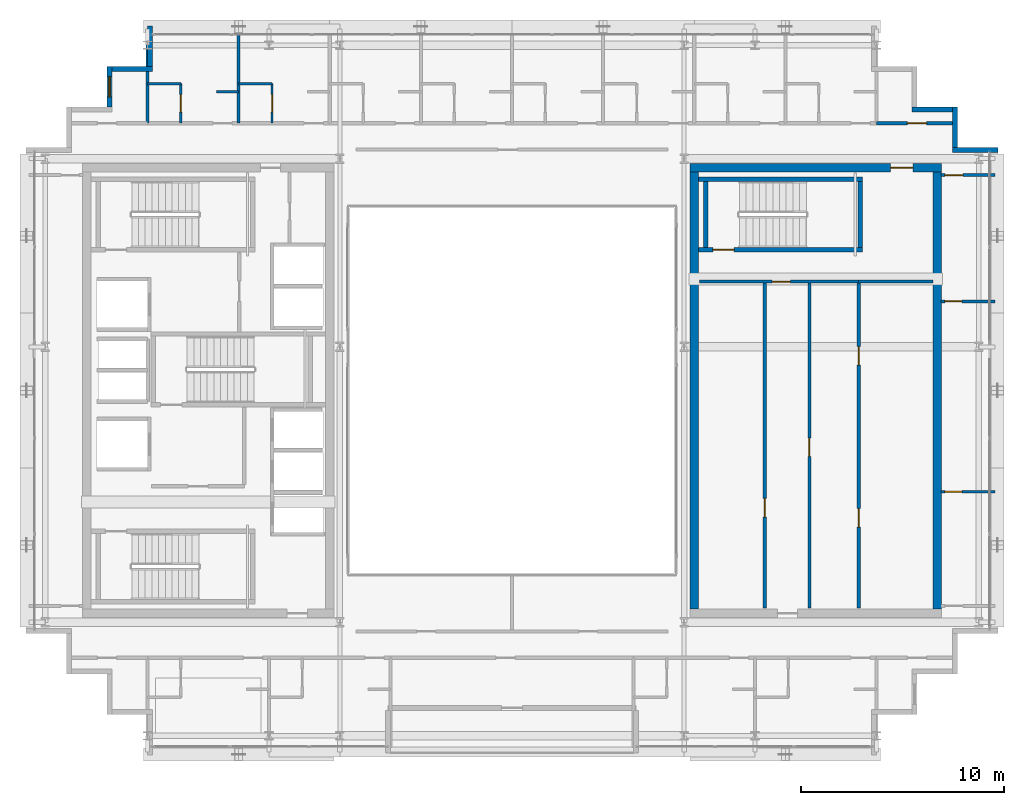
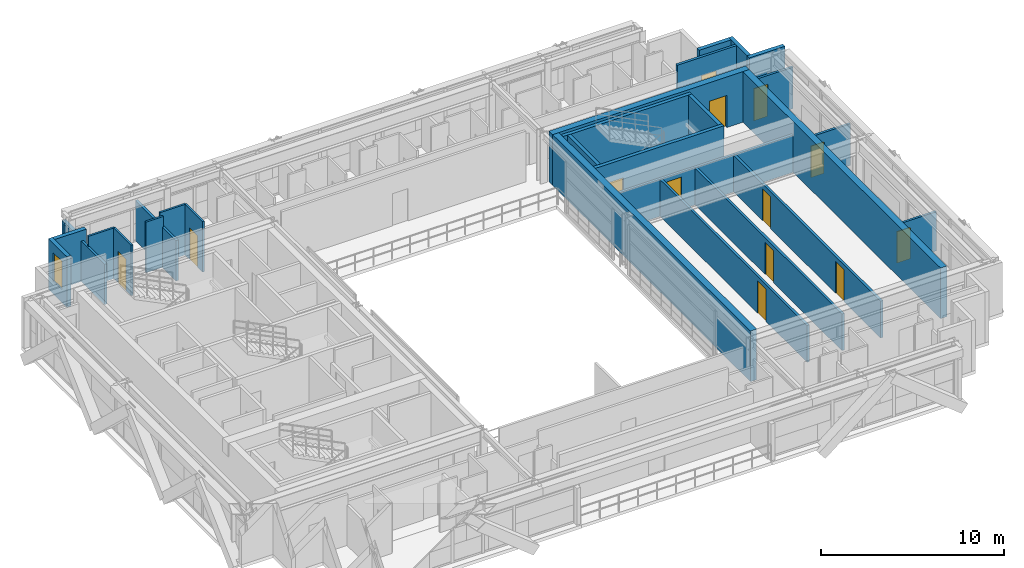
# One storey, part 24 of 29: 29 walls, 13 doors, 1 window, 14 openings.
"""IFC4 building model written with IfcOpenShell, lengths in metres."""

from ifc_helpers import new_model, si_unit, direction, frame, frame_2d, origin, place, context, subcontext, project, spatial, rectangle, extrude, source, transform, mapped, material, layer, layer_set, type_object, element, fill, save


model = new_model("IFC4")

# Units and contexts
model_context = context("Model", 3, precision=1e-05, world=origin(), true_north=direction((0.0, 1.0)))
body_context = subcontext(model_context, "Body", "Model", "MODEL_VIEW")
ifc_project = project(units=[si_unit("LENGTHUNIT", "METRE"), si_unit("AREAUNIT", "SQUARE_METRE"), si_unit("VOLUMEUNIT", "CUBIC_METRE"), si_unit("PLANEANGLEUNIT", "RADIAN"), si_unit("MASSUNIT", "GRAM", prefix="KILO")], contexts=[model_context])

# Site, building, storey
site_placement = place(None, origin())
site = spatial("IfcSite", under=ifc_project, at=site_placement, CompositionType="ELEMENT")
building_placement = place(site_placement, origin())
building = spatial("IfcBuilding", under=site, at=building_placement, Name="Ocotamira Hotel", CompositionType="ELEMENT")
storey_placement = place(building_placement, frame((0.0, 0.0, 236.39990234375)))
storey = spatial("IfcBuildingStorey", under=building, at=storey_placement, Name="L59", CompositionType="ELEMENT", Elevation=236.39990234375)

# Wall, opening, door
ifc_material_1 = material(Name="Concrete C50/60", Category="concrete")
ifc_layer_1 = layer(ifc_material_1, 0.39990234375)
ifc_layer_set_1 = layer_set([ifc_layer_1], Name="Concrete C50/60")
wall_type_1 = type_object("IfcWallType", Name="WL-CORE-400", PredefinedType="SHEAR", material=ifc_layer_set_1)
wall_1_placement = place(storey_placement, frame((40.800048828125, 37.0, 0.0), z_axis=(0.0, 0.0, 1.0), x_axis=(1.0, 0.0, 0.0)))
wall_1 = element("IfcWall", 1, at=wall_1_placement, inside=storey, type_object=wall_type_1, Name="L59 Shear Core Wall ECORE-N", PredefinedType="SHEAR", context=body_context, shape_type="SweptSolid", body=[
    extrude(rectangle(XDim=12.39990234375, YDim=0.39990234375, at=frame_2d((6.199951171875, 0.0))), origin(), (0.0, 0.0, 1.0), 3.380126953125),
])
opening_1_placement = place(wall_1_placement, frame((9.89990234375, 0.0, 0.0)))
opening_1 = element("IfcOpeningElement", 2, at=opening_1_placement, cuts=wall_1, Name="Opening D-FR1", PredefinedType="OPENING", context=body_context, shape_type="SweptSolid", body=[
    extrude(rectangle(XDim=1.10009765625, YDim=2.14990234375, at=frame_2d((0.550048828125, 1.074951171875))), frame((0.0, 0.2099609375, 0.0), z_axis=(0.0, -1.0, 0.0), x_axis=(1.0, 0.0, 0.0)), (0.0, 0.0, 1.0), 0.419921875),
])
ifc_material_2 = material(Name="Fire-rated acoustic timber-veneer door", Category="wood")
door_type_1 = type_object("IfcDoorType", Name="DR-FIRE-1100", OperationType="NOTDEFINED", PredefinedType="DOOR", material=ifc_material_2)
shared_shape_1 = source(origin(), body_context, "Body", "SweptSolid", [
    extrude(rectangle(XDim=1.10009765625, YDim=2.14990234375, at=frame_2d((0.550048828125, 1.074951171875))), frame((0.0, 0.02490234375, 0.0), z_axis=(0.0, -1.0, 0.0), x_axis=(1.0, 0.0, 0.0)), (0.0, 0.0, 1.0), 0.050048828125),
])
door_1_placement = place(opening_1_placement, origin())
door_1 = element("IfcDoor", 3, at=door_1_placement, inside=storey, type_object=door_type_1, Name="L59 Door ID-L59-ELOB-N-D [ID-L59-ELOB-N-D]", OperationType="SINGLE_SWING_LEFT", OverallHeight=2.14990234375, OverallWidth=1.10009765625, PredefinedType="DOOR", context=body_context, shape_type="MappedRepresentation", body=[
    mapped(shared_shape_1, transform((0.0, 0.0, 0.0), scale=1.0)),
])
fill(opening_1, door_1)

# Walls
for number, where, z_axis, x_axis, name in (
    (4, (41.0, 15.199951171875, 0.0), (0.0, 0.0, 1.0), (0.0, 1.0, 0.0), "L59 Shear Core Wall ECORE-W"),
    (5, (53.0, 15.199951171875, 0.0), (0.0, 0.0, 1.0), (0.0, 1.0, 0.0), "L59 Shear Core Wall ECORE-E"),
):
    element("IfcWall", number, at=place(storey_placement, frame(where, z_axis=z_axis, x_axis=x_axis)), inside=storey, type_object=wall_type_1, Name=name, PredefinedType="SHEAR", context=body_context, shape_type="SweptSolid", body=[
        extrude(rectangle(XDim=21.60009765625, YDim=0.39990234375, at=frame_2d((10.800048828125, 0.0))), origin(), (0.0, 0.0, 1.0), 3.380126953125),
    ])
ifc_material_3 = material(Name="Precast concrete C45/55", Category="concrete")
ifc_layer_2 = layer(ifc_material_3, 0.25)
ifc_layer_set_2 = layer_set([ifc_layer_2], Name="Precast concrete C45/55")
wall_type_2 = type_object("IfcWallType", Name="WL-EXT-SER-250", PredefinedType="SOLIDWALL", material=ifc_layer_set_2)
wall_2_placement = place(storey_placement, frame((56.0, 37.875, 0.0), z_axis=(0.0, 0.0, 1.0), x_axis=(-1.0, 0.0, 0.0)))
element("IfcWall", 6, at=wall_2_placement, inside=storey, type_object=wall_type_2, Name="L59 Serrated Corner Wall 07", PredefinedType="SOLIDWALL", context=body_context, shape_type="SweptSolid", body=[
    extrude(rectangle(XDim=2.25, YDim=0.25, at=frame_2d((1.125, 0.0))), origin(), (0.0, 0.0, 1.0), 3.380126953125),
])
for number, where, z_axis, x_axis, name in (
    (7, (53.875, 38.0, 0.0), (0.0, 0.0, 1.0), (0.0, 1.0, 0.0), "L59 Serrated Corner Wall 08"),
    (8, (53.75, 39.875, 0.0), (0.0, 0.0, 1.0), (-1.0, 0.0, 0.0), "L59 Serrated Corner Wall 09"),
):
    element("IfcWall", number, at=place(storey_placement, frame(where, z_axis=z_axis, x_axis=x_axis)), inside=storey, type_object=wall_type_2, Name=name, PredefinedType="SOLIDWALL", context=body_context, shape_type="SweptSolid", body=[
        extrude(rectangle(XDim=2.0, YDim=0.25, at=frame_2d((1.0, 0.0))), origin(), (0.0, 0.0, 1.0), 3.380126953125),
    ])
wall_3_placement = place(storey_placement, frame((14.125, 44.0, 0.0), z_axis=(0.0, 0.0, 1.0), x_axis=(0.0, -1.0, 0.0)))
element("IfcWall", 9, at=wall_3_placement, inside=storey, type_object=wall_type_2, Name="L59 Serrated Corner Wall 13", PredefinedType="SOLIDWALL", context=body_context, shape_type="SweptSolid", body=[
    extrude(rectangle(XDim=2.0, YDim=0.25, at=frame_2d((1.0, 0.0))), origin(), (0.0, 0.0, 1.0), 2.68701171875),
])
wall_4_placement = place(storey_placement, frame((14.25, 41.875, 0.0), z_axis=(0.0, 0.0, 1.0), x_axis=(-1.0, 0.0, 0.0)))
element("IfcWall", 10, at=wall_4_placement, inside=storey, type_object=wall_type_2, Name="L59 Serrated Corner Wall 14", PredefinedType="SOLIDWALL", context=body_context, shape_type="SweptSolid", body=[
    extrude(rectangle(XDim=2.0, YDim=0.25, at=frame_2d((1.0, 0.0))), origin(), (0.0, 0.0, 1.0), 3.380126953125),
])

# Wall, opening, window
wall_5_placement = place(storey_placement, frame((12.125, 42.0, 0.0), z_axis=(0.0, 0.0, 1.0), x_axis=(0.0, -1.0, 0.0)))
wall_5 = element("IfcWall", 11, at=wall_5_placement, inside=storey, type_object=wall_type_2, Name="L59 Serrated Corner Wall 15", PredefinedType="SOLIDWALL", context=body_context, shape_type="SweptSolid", body=[
    extrude(rectangle(XDim=2.0, YDim=0.25, at=frame_2d((1.0, 0.0))), origin(), (0.0, 0.0, 1.0), 3.380126953125),
])
opening_2_placement = place(wall_5_placement, frame((0.5, 0.0, 0.85009765625)))
opening_2 = element("IfcOpeningElement", 12, at=opening_2_placement, cuts=wall_5, Name="Opening WN-2", PredefinedType="OPENING", context=body_context, shape_type="SweptSolid", body=[
    extrude(rectangle(XDim=1.0, YDim=1.89990234375, at=frame_2d((0.5, 0.949951171875))), frame((0.0, 0.135009765625, 0.0), z_axis=(0.0, -1.0, 0.0), x_axis=(1.0, 0.0, 0.0)), (0.0, 0.0, 1.0), 0.27001953125),
])
ifc_material_4 = material(Name="Double-silver low-E solar glass", Category="glass")
window_type = type_object("IfcWindowType", Name="WIN-SER-1100", PartitioningType="SINGLE_PANEL", PredefinedType="WINDOW", material=ifc_material_4)
shared_shape_2 = source(origin(), body_context, "Body", "SweptSolid", [
    extrude(rectangle(XDim=1.0, YDim=1.89990234375, at=frame_2d((0.5, 0.949951171875))), frame((0.0, 0.030029296875, 0.0), z_axis=(0.0, -1.0, 0.0), x_axis=(1.0, 0.0, 0.0)), (0.0, 0.0, 1.0), 0.06005859375),
])
window_placement = place(opening_2_placement, origin())
window = element("IfcWindow", 13, at=window_placement, inside=storey, type_object=window_type, Name="L59 Serrated Corner Window 15", OverallHeight=1.89990234375, OverallWidth=1.0, PartitioningType="SINGLE_PANEL", PredefinedType="WINDOW", context=body_context, shape_type="MappedRepresentation", body=[
    mapped(shared_shape_2, transform((0.0, 0.0, 0.0), scale=1.0)),
])
fill(opening_2, window)

# Wall
ifc_material_5 = material(Name="Acoustic double-layer fire gypsum board partition", Category="gypsum")
ifc_layer_3 = layer(ifc_material_5, 0.159912109375)
ifc_layer_set_3 = layer_set([ifc_layer_3], Name="Acoustic double-layer fire gypsum board partition")
wall_type_3 = type_object("IfcWallType", Name="WL-FIRE-160", PredefinedType="PARTITIONING", material=ifc_layer_set_3)
wall_6_placement = place(storey_placement, frame((49.1201171875, 31.3798828125, 0.0), z_axis=(0.0, 0.0, 1.0), x_axis=(1.0, 0.0, 0.0)))
element("IfcWall", 14, at=wall_6_placement, inside=storey, type_object=wall_type_3, Name="L59 Interior Wall PW-L59-EC-FLOW-N", PredefinedType="PARTITIONING", context=body_context, shape_type="SweptSolid", body=[
    extrude(rectangle(XDim=3.679931640625, YDim=0.159912109375, at=frame_2d((1.83984375, 0.0))), origin(), (0.0, 0.0, 1.0), 2.47998046875),
])

# Wall, openings, doors
wall_7_placement = place(storey_placement, frame((49.1201171875, 15.25, 0.0), z_axis=(0.0, 0.0, 1.0), x_axis=(0.0, 1.0, 0.0)))
wall_7 = element("IfcWall", 15, at=wall_7_placement, inside=storey, type_object=wall_type_3, Name="L59 Interior Wall PW-L59-EC-FLOW-W", PredefinedType="PARTITIONING", context=body_context, shape_type="SweptSolid", body=[
    extrude(rectangle(XDim=16.1298828125, YDim=0.159912109375, at=frame_2d((8.06494140625, 0.0))), origin(), (0.0, 0.0, 1.0), 2.453125),
])
opening_3_placement = place(wall_7_placement, frame((4.0, 0.0, 0.0)))
opening_3 = element("IfcOpeningElement", 16, at=opening_3_placement, cuts=wall_7, Name="Opening D-SV3", PredefinedType="OPENING", context=body_context, shape_type="SweptSolid", body=[
    extrude(rectangle(XDim=0.919921875, YDim=2.14990234375, at=frame_2d((0.4599609375, 1.074951171875))), frame((0.0, 0.08984375, 0.0), z_axis=(0.0, -1.0, 0.0), x_axis=(1.0, 0.0, 0.0)), (0.0, 0.0, 1.0), 0.179931640625),
])
opening_4_placement = place(wall_7_placement, frame((12.0, 0.0, 0.0)))
opening_4 = element("IfcOpeningElement", 17, at=opening_4_placement, cuts=wall_7, Name="Opening D-SV3", PredefinedType="OPENING", context=body_context, shape_type="SweptSolid", body=[
    extrude(rectangle(XDim=0.919921875, YDim=2.14990234375, at=frame_2d((0.4599609375, 1.074951171875))), frame((0.0, 0.08984375, 0.0), z_axis=(0.0, -1.0, 0.0), x_axis=(1.0, 0.0, 0.0)), (0.0, 0.0, 1.0), 0.179931640625),
])
ifc_material_6 = material(Name="Fire-rated walnut hospitality door", Category="wood")
door_type_2 = type_object("IfcDoorType", Name="DR-SERV-920", OperationType="NOTDEFINED", PredefinedType="DOOR", material=ifc_material_6)
shared_shape_3 = source(origin(), body_context, "Body", "SweptSolid", [
    extrude(rectangle(XDim=0.919921875, YDim=2.14990234375, at=frame_2d((0.4599609375, 1.074951171875))), frame((0.0, 0.02490234375, 0.0), z_axis=(0.0, -1.0, 0.0), x_axis=(1.0, 0.0, 0.0)), (0.0, 0.0, 1.0), 0.050048828125),
])
door_2_placement = place(opening_3_placement, origin())
door_2 = element("IfcDoor", 18, at=door_2_placement, inside=storey, type_object=door_type_2, Name="L59 Door ID-L59-EC-FLOW-D1 [ID-L59-EC-FLOW-D1]", OperationType="SINGLE_SWING_LEFT", OverallHeight=2.14990234375, OverallWidth=0.919921875, PredefinedType="DOOR", context=body_context, shape_type="MappedRepresentation", body=[
    mapped(shared_shape_3, transform((0.0, 0.0, 0.0), scale=1.0)),
])
fill(opening_3, door_2)
door_3_placement = place(opening_4_placement, origin())
door_3 = element("IfcDoor", 19, at=door_3_placement, inside=storey, type_object=door_type_2, Name="L59 Door ID-L59-EC-FLOW-D2 [ID-L59-EC-FLOW-D2]", OperationType="SINGLE_SWING_RIGHT", OverallHeight=2.14990234375, OverallWidth=0.919921875, PredefinedType="DOOR", context=body_context, shape_type="MappedRepresentation", body=[
    mapped(shared_shape_3, transform((0.0, 0.0, 0.0), scale=1.0)),
])
fill(opening_4, door_3)

# Wall, opening, door
wall_8_placement = place(storey_placement, frame((50.0, 39.199951171875, 0.0), z_axis=(0.0, 0.0, 1.0), x_axis=(1.0, 0.0, 0.0)))
wall_8 = element("IfcWall", 20, at=wall_8_placement, inside=storey, type_object=wall_type_3, Name="L59 Interior Wall PW-L59-Z4CNE-CW", PredefinedType="PARTITIONING", context=body_context, shape_type="SweptSolid", body=[
    extrude(rectangle(XDim=4.0, YDim=0.159912109375, at=frame_2d((2.0, 0.0))), origin(), (0.0, 0.0, 1.0), 3.380126953125),
])
opening_5_placement = place(wall_8_placement, frame((1.52001953125, 0.0, 0.0)))
opening_5 = element("IfcOpeningElement", 21, at=opening_5_placement, cuts=wall_8, Name="Opening D-SV4", PredefinedType="OPENING", context=body_context, shape_type="SweptSolid", body=[
    extrude(rectangle(XDim=0.9599609375, YDim=2.14990234375, at=frame_2d((0.47998046875, 1.074951171875))), frame((0.0, 0.08984375, 0.0), z_axis=(0.0, -1.0, 0.0), x_axis=(1.0, 0.0, 0.0)), (0.0, 0.0, 1.0), 0.179931640625),
])
ifc_material_7 = material(Name="Fire-rated accessible walnut salon door", Category="wood")
door_type_3 = type_object("IfcDoorType", Name="DR-SERV-960", OperationType="NOTDEFINED", PredefinedType="DOOR", material=ifc_material_7)
shared_shape_4 = source(origin(), body_context, "Body", "SweptSolid", [
    extrude(rectangle(XDim=0.9599609375, YDim=2.14990234375, at=frame_2d((0.47998046875, 1.074951171875))), frame((0.0, 0.02490234375, 0.0), z_axis=(0.0, -1.0, 0.0), x_axis=(1.0, 0.0, 0.0)), (0.0, 0.0, 1.0), 0.050048828125),
])
door_4_placement = place(opening_5_placement, origin())
door_4 = element("IfcDoor", 22, at=door_4_placement, inside=storey, type_object=door_type_3, Name="L59 Door ID-L59-Z4CNE-CD [ID-L59-Z4CNE-CD]", OperationType="SINGLE_SWING_LEFT", OverallHeight=2.14990234375, OverallWidth=0.9599609375, PredefinedType="DOOR", context=body_context, shape_type="MappedRepresentation", body=[
    mapped(shared_shape_4, transform((0.0, 0.0, 0.0), scale=1.0)),
])
fill(opening_5, door_4)

ifc_material_8 = material(Name="Moisture-resistant en-suite tile and gypsum partition", Category="gypsum")
ifc_layer_4 = layer(ifc_material_8, 0.1201171875)
ifc_layer_set_4 = layer_set([ifc_layer_4], Name="Moisture-resistant en-suite tile and gypsum partition")
wall_type_4 = type_object("IfcWallType", Name="WL-PART-120", PredefinedType="PARTITIONING", material=ifc_layer_set_4)
wall_9_placement = place(storey_placement, frame((15.64990234375, 39.199951171875, 0.0), z_axis=(0.0, 0.0, 1.0), x_axis=(0.0, 1.0, 0.0)))
wall_9 = element("IfcWall", 23, at=wall_9_placement, inside=storey, type_object=wall_type_4, Name="L59 Interior Wall PW-L59-Z4BN-BAE1", PredefinedType="PARTITIONING", context=body_context, shape_type="SweptSolid", body=[
    extrude(rectangle(XDim=1.949951171875, YDim=0.1201171875, at=frame_2d((0.97509765625, 0.0))), origin(), (0.0, 0.0, 1.0), 3.380126953125),
])
opening_6_placement = place(wall_9_placement, frame((0.544921875, 0.0, 0.0)))
opening_6 = element("IfcOpeningElement", 24, at=opening_6_placement, cuts=wall_9, Name="Opening D-BA1", PredefinedType="OPENING", context=body_context, shape_type="SweptSolid", body=[
    extrude(rectangle(XDim=0.860107421875, YDim=2.10009765625, at=frame_2d((0.43017578125, 1.050048828125))), frame((0.0, 0.070068359375, 0.0), z_axis=(0.0, -1.0, 0.0), x_axis=(1.0, 0.0, 0.0)), (0.0, 0.0, 1.0), 0.14013671875),
])
ifc_material_9 = material(Name="Moisture-sealed en-suite timber door", Category="wood")
door_type_4 = type_object("IfcDoorType", Name="DR-BATH-860", OperationType="NOTDEFINED", PredefinedType="DOOR", material=ifc_material_9)
shared_shape_5 = source(origin(), body_context, "Body", "SweptSolid", [
    extrude(rectangle(XDim=0.860107421875, YDim=2.10009765625, at=frame_2d((0.43017578125, 1.050048828125))), frame((0.0, 0.02490234375, 0.0), z_axis=(0.0, -1.0, 0.0), x_axis=(1.0, 0.0, 0.0)), (0.0, 0.0, 1.0), 0.050048828125),
])
door_5_placement = place(opening_6_placement, origin())
door_5 = element("IfcDoor", 25, at=door_5_placement, inside=storey, type_object=door_type_4, Name="L59 Door ID-L59-Z4BN-BAD1 [ID-L59-Z4BN-BAD1]", OperationType="SINGLE_SWING_RIGHT", OverallHeight=2.10009765625, OverallWidth=0.860107421875, PredefinedType="DOOR", context=body_context, shape_type="MappedRepresentation", body=[
    mapped(shared_shape_5, transform((0.0, 0.0, 0.0), scale=1.0)),
])
fill(opening_6, door_5)

# Walls
wall_10_placement = place(storey_placement, frame((14.0, 41.14990234375, 0.0), z_axis=(0.0, 0.0, 1.0), x_axis=(1.0, 0.0, 0.0)))
element("IfcWall", 26, at=wall_10_placement, inside=storey, type_object=wall_type_4, Name="L59 Interior Wall PW-L59-Z4BN-BAN1", PredefinedType="PARTITIONING", context=body_context, shape_type="SweptSolid", body=[
    extrude(rectangle(XDim=1.64990234375, YDim=0.1201171875, at=frame_2d((0.824951171875, 0.0))), origin(), (0.0, 0.0, 1.0), 3.380126953125),
])
wall_11_placement = place(storey_placement, frame((17.39990234375, 40.75, 0.0), z_axis=(0.0, 0.0, 1.0), x_axis=(1.0, 0.0, 0.0)))
element("IfcWall", 27, at=wall_11_placement, inside=storey, type_object=wall_type_4, Name="L59 Interior Wall PW-L59-Z4BN-DRN1", PredefinedType="PARTITIONING", context=body_context, shape_type="SweptSolid", body=[
    extrude(rectangle(XDim=1.10009765625, YDim=0.1201171875, at=frame_2d((0.550048828125, 0.0))), origin(), (0.0, 0.0, 1.0), 3.380126953125),
])

# Wall, opening, door
wall_12_placement = place(storey_placement, frame((20.14990234375, 39.199951171875, 0.0), z_axis=(0.0, 0.0, 1.0), x_axis=(0.0, 1.0, 0.0)))
wall_12 = element("IfcWall", 28, at=wall_12_placement, inside=storey, type_object=wall_type_4, Name="L59 Interior Wall PW-L59-Z4BN-BAE2", PredefinedType="PARTITIONING", context=body_context, shape_type="SweptSolid", body=[
    extrude(rectangle(XDim=1.949951171875, YDim=0.1201171875, at=frame_2d((0.97509765625, 0.0))), origin(), (0.0, 0.0, 1.0), 3.380126953125),
])
opening_7_placement = place(wall_12_placement, frame((0.544921875, 0.0, 0.0)))
opening_7 = element("IfcOpeningElement", 29, at=opening_7_placement, cuts=wall_12, Name="Opening D-BA1", PredefinedType="OPENING", context=body_context, shape_type="SweptSolid", body=[
    extrude(rectangle(XDim=0.860107421875, YDim=2.10009765625, at=frame_2d((0.43017578125, 1.050048828125))), frame((0.0, 0.070068359375, 0.0), z_axis=(0.0, -1.0, 0.0), x_axis=(1.0, 0.0, 0.0)), (0.0, 0.0, 1.0), 0.14013671875),
])
door_6_placement = place(opening_7_placement, origin())
door_6 = element("IfcDoor", 30, at=door_6_placement, inside=storey, type_object=door_type_4, Name="L59 Door ID-L59-Z4BN-BAD2 [ID-L59-Z4BN-BAD2]", OperationType="SINGLE_SWING_LEFT", OverallHeight=2.10009765625, OverallWidth=0.860107421875, PredefinedType="DOOR", context=body_context, shape_type="MappedRepresentation", body=[
    mapped(shared_shape_5, transform((0.0, 0.0, 0.0), scale=1.0)),
])
fill(opening_7, door_6)

# Wall
wall_13_placement = place(storey_placement, frame((18.5, 41.14990234375, 0.0), z_axis=(0.0, 0.0, 1.0), x_axis=(1.0, 0.0, 0.0)))
element("IfcWall", 31, at=wall_13_placement, inside=storey, type_object=wall_type_4, Name="L59 Interior Wall PW-L59-Z4BN-BAN2", PredefinedType="PARTITIONING", context=body_context, shape_type="SweptSolid", body=[
    extrude(rectangle(XDim=1.64990234375, YDim=0.1201171875, at=frame_2d((0.824951171875, 0.0))), origin(), (0.0, 0.0, 1.0), 3.380126953125),
])

# Wall, opening, door
ifc_material_10 = material(Name="Acoustic hospitality gypsum board partition", Category="gypsum")
ifc_layer_5 = layer(ifc_material_10, 0.14208984375)
ifc_layer_set_5 = layer_set([ifc_layer_5], Name="Acoustic hospitality gypsum board partition")
wall_type_5 = type_object("IfcWallType", Name="WL-PART-142", PredefinedType="PARTITIONING", material=ifc_layer_set_5)
wall_14_placement = place(storey_placement, frame((53.179931640625, 21.0, 0.0), z_axis=(0.0, 0.0, 1.0), x_axis=(1.0, 0.0, 0.0)))
wall_14 = element("IfcWall", 32, at=wall_14_placement, inside=storey, type_object=wall_type_5, Name="L59 Interior Wall PW-L59-Z4BE-DV1", PredefinedType="PARTITIONING", context=body_context, shape_type="SweptSolid", body=[
    extrude(rectangle(XDim=2.66015625, YDim=0.14208984375, at=frame_2d((1.330078125, 0.0))), origin(), (0.0, 0.0, 1.0), 2.60107421875),
])
opening_8_placement = place(wall_14_placement, frame((0.199951171875, 0.0, 0.0)))
opening_8 = element("IfcOpeningElement", 33, at=opening_8_placement, cuts=wall_14, Name="Opening D-SV1", PredefinedType="OPENING", context=body_context, shape_type="SweptSolid", body=[
    extrude(rectangle(XDim=0.840087890625, YDim=2.10009765625, at=frame_2d((0.419921875, 1.050048828125))), frame((0.0, 0.0810546875, 0.0), z_axis=(0.0, -1.0, 0.0), x_axis=(1.0, 0.0, 0.0)), (0.0, 0.0, 1.0), 0.162109375),
])
ifc_material_11 = material(Name="Fire-rated painted steel service door", Category="steel")
door_type_5 = type_object("IfcDoorType", Name="DR-SERV-840", OperationType="NOTDEFINED", PredefinedType="DOOR", material=ifc_material_11)
shared_shape_6 = source(origin(), body_context, "Body", "SweptSolid", [
    extrude(rectangle(XDim=0.840087890625, YDim=2.10009765625, at=frame_2d((0.419921875, 1.050048828125))), frame((0.0, 0.02490234375, 0.0), z_axis=(0.0, -1.0, 0.0), x_axis=(1.0, 0.0, 0.0)), (0.0, 0.0, 1.0), 0.050048828125),
])
door_7_placement = place(opening_8_placement, origin())
door_7 = element("IfcDoor", 34, at=door_7_placement, inside=storey, type_object=door_type_5, Name="L59 Door ID-L59-Z4BE-DV1D [ID-L59-Z4BE-DV1D]", OperationType="SINGLE_SWING_LEFT", OverallHeight=2.10009765625, OverallWidth=0.840087890625, PredefinedType="DOOR", context=body_context, shape_type="MappedRepresentation", body=[
    mapped(shared_shape_6, transform((0.0, 0.0, 0.0), scale=1.0)),
])
fill(opening_8, door_7)

wall_15_placement = place(storey_placement, frame((53.179931640625, 30.39990234375, 0.0), z_axis=(0.0, 0.0, 1.0), x_axis=(1.0, 0.0, 0.0)))
wall_15 = element("IfcWall", 35, at=wall_15_placement, inside=storey, type_object=wall_type_5, Name="L59 Interior Wall PW-L59-Z4BE-DV2", PredefinedType="PARTITIONING", context=body_context, shape_type="SweptSolid", body=[
    extrude(rectangle(XDim=2.66015625, YDim=0.14208984375, at=frame_2d((1.330078125, 0.0))), origin(), (0.0, 0.0, 1.0), 2.76318359375),
])
opening_9_placement = place(wall_15_placement, frame((0.199951171875, 0.0, 0.0)))
opening_9 = element("IfcOpeningElement", 36, at=opening_9_placement, cuts=wall_15, Name="Opening D-SV1", PredefinedType="OPENING", context=body_context, shape_type="SweptSolid", body=[
    extrude(rectangle(XDim=0.840087890625, YDim=2.10009765625, at=frame_2d((0.419921875, 1.050048828125))), frame((0.0, 0.0810546875, 0.0), z_axis=(0.0, -1.0, 0.0), x_axis=(1.0, 0.0, 0.0)), (0.0, 0.0, 1.0), 0.162109375),
])
door_8_placement = place(opening_9_placement, origin())
door_8 = element("IfcDoor", 37, at=door_8_placement, inside=storey, type_object=door_type_5, Name="L59 Door ID-L59-Z4BE-DV2D [ID-L59-Z4BE-DV2D]", OperationType="SINGLE_SWING_RIGHT", OverallHeight=2.10009765625, OverallWidth=0.840087890625, PredefinedType="DOOR", context=body_context, shape_type="MappedRepresentation", body=[
    mapped(shared_shape_6, transform((0.0, 0.0, 0.0), scale=1.0)),
])
fill(opening_9, door_8)

ifc_layer_6 = layer(ifc_material_10, 0.14990234375)
ifc_layer_set_6 = layer_set([ifc_layer_6], Name="Acoustic hospitality gypsum board partition")
wall_type_6 = type_object("IfcWallType", Name="WL-PART-150", PredefinedType="PARTITIONING", material=ifc_layer_set_6)
wall_16_placement = place(storey_placement, frame((41.25, 31.3798828125, 0.0), z_axis=(0.0, 0.0, 1.0), x_axis=(1.0, 0.0, 0.0)))
wall_16 = element("IfcWall", 38, at=wall_16_placement, inside=storey, type_object=wall_type_6, Name="L59 Interior Wall PW-L59-EC-HMT-N", PredefinedType="PARTITIONING", context=body_context, shape_type="SweptSolid", body=[
    extrude(rectangle(XDim=7.8701171875, YDim=0.14990234375, at=frame_2d((3.93505859375, 0.0))), origin(), (0.0, 0.0, 1.0), 2.47998046875),
])
opening_10_placement = place(wall_16_placement, frame((3.60009765625, 0.0, 0.0)))
opening_10 = element("IfcOpeningElement", 39, at=opening_10_placement, cuts=wall_16, Name="Opening D-IN3", PredefinedType="OPENING", context=body_context, shape_type="SweptSolid", body=[
    extrude(rectangle(XDim=0.89990234375, YDim=2.14990234375, at=frame_2d((0.449951171875, 1.074951171875))), frame((0.0, 0.0849609375, 0.0), z_axis=(0.0, -1.0, 0.0), x_axis=(1.0, 0.0, 0.0)), (0.0, 0.0, 1.0), 0.169921875),
])
ifc_material_12 = material(Name="Painted service room door", Category="steel")
door_type_6 = type_object("IfcDoorType", Name="DR-INT-900", OperationType="NOTDEFINED", PredefinedType="DOOR", material=ifc_material_12)
shared_shape_7 = source(origin(), body_context, "Body", "SweptSolid", [
    extrude(rectangle(XDim=0.89990234375, YDim=2.14990234375, at=frame_2d((0.449951171875, 1.074951171875))), frame((0.0, 0.02490234375, 0.0), z_axis=(0.0, -1.0, 0.0), x_axis=(1.0, 0.0, 0.0)), (0.0, 0.0, 1.0), 0.050048828125),
])
door_9_placement = place(opening_10_placement, origin())
door_9 = element("IfcDoor", 40, at=door_9_placement, inside=storey, type_object=door_type_6, Name="L59 Door ID-L59-EC-MGALD [ID-L59-EC-MGALD]", OperationType="SINGLE_SWING_LEFT", OverallHeight=2.14990234375, OverallWidth=0.89990234375, PredefinedType="DOOR", context=body_context, shape_type="MappedRepresentation", body=[
    mapped(shared_shape_7, transform((0.0, 0.0, 0.0), scale=1.0)),
])
fill(opening_10, door_9)

wall_17_placement = place(storey_placement, frame((46.679931640625, 15.25, 0.0), z_axis=(0.0, 0.0, 1.0), x_axis=(0.0, 1.0, 0.0)))
wall_17 = element("IfcWall", 41, at=wall_17_placement, inside=storey, type_object=wall_type_6, Name="L59 Interior Wall PW-L59-EC-HMT-W", PredefinedType="PARTITIONING", context=body_context, shape_type="SweptSolid", body=[
    extrude(rectangle(XDim=16.1298828125, YDim=0.14990234375, at=frame_2d((8.06494140625, 0.0))), origin(), (0.0, 0.0, 1.0), 2.453125),
])
opening_11_placement = place(wall_17_placement, frame((7.5, 0.0, 0.0)))
opening_11 = element("IfcOpeningElement", 42, at=opening_11_placement, cuts=wall_17, Name="Opening D-IN3", PredefinedType="OPENING", context=body_context, shape_type="SweptSolid", body=[
    extrude(rectangle(XDim=0.89990234375, YDim=2.14990234375, at=frame_2d((0.449951171875, 1.074951171875))), frame((0.0, 0.0849609375, 0.0), z_axis=(0.0, -1.0, 0.0), x_axis=(1.0, 0.0, 0.0)), (0.0, 0.0, 1.0), 0.169921875),
])
door_10_placement = place(opening_11_placement, origin())
door_10 = element("IfcDoor", 43, at=door_10_placement, inside=storey, type_object=door_type_6, Name="L59 Door ID-L59-EC-HMTD [ID-L59-EC-HMTD]", OperationType="SINGLE_SWING_RIGHT", OverallHeight=2.14990234375, OverallWidth=0.89990234375, PredefinedType="DOOR", context=body_context, shape_type="MappedRepresentation", body=[
    mapped(shared_shape_7, transform((0.0, 0.0, 0.0), scale=1.0)),
])
fill(opening_11, door_10)

wall_18_placement = place(storey_placement, frame((44.47998046875, 15.25, 0.0), z_axis=(0.0, 0.0, 1.0), x_axis=(0.0, 1.0, 0.0)))
wall_18 = element("IfcWall", 44, at=wall_18_placement, inside=storey, type_object=wall_type_6, Name="L59 Interior Wall PW-L59-EC-FMID-E", PredefinedType="PARTITIONING", context=body_context, shape_type="SweptSolid", body=[
    extrude(rectangle(XDim=16.1298828125, YDim=0.14990234375, at=frame_2d((8.06494140625, 0.0))), origin(), (0.0, 0.0, 1.0), 2.453125),
])
opening_12_placement = place(wall_18_placement, frame((4.5, 0.0, 0.0)))
opening_12 = element("IfcOpeningElement", 45, at=opening_12_placement, cuts=wall_18, Name="Opening D-SV3", PredefinedType="OPENING", context=body_context, shape_type="SweptSolid", body=[
    extrude(rectangle(XDim=0.919921875, YDim=2.14990234375, at=frame_2d((0.4599609375, 1.074951171875))), frame((0.0, 0.0849609375, 0.0), z_axis=(0.0, -1.0, 0.0), x_axis=(1.0, 0.0, 0.0)), (0.0, 0.0, 1.0), 0.169921875),
])
door_11_placement = place(opening_12_placement, origin())
door_11 = element("IfcDoor", 46, at=door_11_placement, inside=storey, type_object=door_type_2, Name="L59 Door ID-L59-EC-FMID-D1 [ID-L59-EC-FMID-D1]", OperationType="SINGLE_SWING_RIGHT", OverallHeight=2.14990234375, OverallWidth=0.919921875, PredefinedType="DOOR", context=body_context, shape_type="MappedRepresentation", body=[
    mapped(shared_shape_3, transform((0.0, 0.0, 0.0), scale=1.0)),
])
fill(opening_12, door_11)

wall_19_placement = place(storey_placement, frame((53.179931640625, 36.639892578125, 0.0), z_axis=(0.0, 0.0, 1.0), x_axis=(1.0, 0.0, 0.0)))
wall_19 = element("IfcWall", 47, at=wall_19_placement, inside=storey, type_object=wall_type_6, Name="L59 Interior Wall PW-L59-Z4BE-WN", PredefinedType="PARTITIONING", context=body_context, shape_type="SweptSolid", body=[
    extrude(rectangle(XDim=2.66015625, YDim=0.14990234375, at=frame_2d((1.330078125, 0.0))), origin(), (0.0, 0.0, 1.0), 2.76318359375),
])
opening_13_placement = place(wall_19_placement, frame((0.199951171875, 0.0, 0.0)))
opening_13 = element("IfcOpeningElement", 48, at=opening_13_placement, cuts=wall_19, Name="Opening D-SV2", PredefinedType="OPENING", context=body_context, shape_type="SweptSolid", body=[
    extrude(rectangle(XDim=0.8798828125, YDim=2.14990234375, at=frame_2d((0.43994140625, 1.074951171875))), frame((0.0, 0.0849609375, 0.0), z_axis=(0.0, -1.0, 0.0), x_axis=(1.0, 0.0, 0.0)), (0.0, 0.0, 1.0), 0.169921875),
])
door_type_7 = type_object("IfcDoorType", Name="DR-SERV-880", OperationType="NOTDEFINED", PredefinedType="DOOR", material=ifc_material_11)
shared_shape_8 = source(origin(), body_context, "Body", "SweptSolid", [
    extrude(rectangle(XDim=0.8798828125, YDim=2.14990234375, at=frame_2d((0.43994140625, 1.074951171875))), frame((0.0, 0.02490234375, 0.0), z_axis=(0.0, -1.0, 0.0), x_axis=(1.0, 0.0, 0.0)), (0.0, 0.0, 1.0), 0.050048828125),
])
door_12_placement = place(opening_13_placement, origin())
door_12 = element("IfcDoor", 49, at=door_12_placement, inside=storey, type_object=door_type_7, Name="L59 Door ID-L59-Z4BE-DN [ID-L59-Z4BE-DN]", OperationType="SINGLE_SWING_LEFT", OverallHeight=2.14990234375, OverallWidth=0.8798828125, PredefinedType="DOOR", context=body_context, shape_type="MappedRepresentation", body=[
    mapped(shared_shape_8, transform((0.0, 0.0, 0.0), scale=1.0)),
])
fill(opening_13, door_12)

# Walls
ifc_material_13 = material(Name="Acoustic double-stud hospitality gypsum partition", Category="gypsum")
ifc_layer_7 = layer(ifc_material_13, 0.159912109375)
ifc_layer_set_7 = layer_set([ifc_layer_7], Name="Acoustic double-stud hospitality gypsum partition")
wall_type_7 = type_object("IfcWallType", Name="WL-PART-160", PredefinedType="PARTITIONING", material=ifc_layer_set_7)
for number, where, z_axis, x_axis, name in (
    (50, (14.0, 39.199951171875, 0.0), (0.0, 0.0, 1.0), (0.0, 1.0, 0.0), "L59 Interior Wall PW-L59-Z4BN-PW0"),
    (51, (18.5, 39.199951171875, 0.0), (0.0, 0.0, 1.0), (0.0, 1.0, 0.0), "L59 Interior Wall PW-L59-Z4BN-PW1"),
):
    element("IfcWall", number, at=place(storey_placement, frame(where, z_axis=z_axis, x_axis=x_axis)), inside=storey, type_object=wall_type_7, Name=name, PredefinedType="PARTITIONING", context=body_context, shape_type="SweptSolid", body=[
        extrude(rectangle(XDim=4.43994140625, YDim=0.159912109375, at=frame_2d((2.219970703125, 0.0))), origin(), (0.0, 0.0, 1.0), 2.68701171875),
    ])

# Wall, opening, door
ifc_layer_8 = layer(ifc_material_1, 0.219970703125)
ifc_layer_set_8 = layer_set([ifc_layer_8], Name="Concrete C50/60")
wall_type_8 = type_object("IfcWallType", Name="WL-STAIR-220", PredefinedType="SHEAR", material=ifc_layer_set_8)
wall_20_placement = place(storey_placement, frame((41.199951171875, 32.93994140625, 0.0), z_axis=(0.0, 0.0, 1.0), x_axis=(1.0, 0.0, 0.0)))
wall_20 = element("IfcWall", 52, at=wall_20_placement, inside=storey, type_object=wall_type_8, Name="L59 Stair Shaft Structural Wall ST-4-S", PredefinedType="SHEAR", context=body_context, shape_type="SweptSolid", body=[
    extrude(rectangle(XDim=8.110107421875, YDim=0.219970703125, at=frame_2d((4.05517578125, 0.0))), origin(), (0.0, 0.0, 1.0), 3.400146484375),
])
opening_14_placement = place(wall_20_placement, frame((0.719970703125, 0.0, 0.0)))
opening_14 = element("IfcOpeningElement", 53, at=opening_14_placement, cuts=wall_20, Name="Opening D-ST2", PredefinedType="OPENING", context=body_context, shape_type="SweptSolid", body=[
    extrude(rectangle(XDim=1.050048828125, YDim=2.14990234375, at=frame_2d((0.52490234375, 1.074951171875))), frame((0.0, 0.1201171875, 0.0), z_axis=(0.0, -1.0, 0.0), x_axis=(1.0, 0.0, 0.0)), (0.0, 0.0, 1.0), 0.239990234375),
])
ifc_material_14 = material(Name="Insulated painted hollow-metal fire exit door", Category="steel")
door_type_8 = type_object("IfcDoorType", Name="DR-STAIR-1050", OperationType="NOTDEFINED", PredefinedType="DOOR", material=ifc_material_14)
shared_shape_9 = source(origin(), body_context, "Body", "SweptSolid", [
    extrude(rectangle(XDim=1.050048828125, YDim=2.14990234375, at=frame_2d((0.52490234375, 1.074951171875))), frame((0.0, 0.02490234375, 0.0), z_axis=(0.0, -1.0, 0.0), x_axis=(1.0, 0.0, 0.0)), (0.0, 0.0, 1.0), 0.050048828125),
])
door_13_placement = place(opening_14_placement, origin())
door_13 = element("IfcDoor", 54, at=door_13_placement, inside=storey, type_object=door_type_8, Name="L59 Door ID-L59-STD-ST-4 [ID-L59-STD-ST-4]", OperationType="SINGLE_SWING_LEFT", OverallHeight=2.14990234375, OverallWidth=1.050048828125, PredefinedType="DOOR", context=body_context, shape_type="MappedRepresentation", body=[
    mapped(shared_shape_9, transform((0.0, 0.0, 0.0), scale=1.0)),
])
fill(opening_14, door_13)

# Walls
wall_21_placement = place(storey_placement, frame((41.199951171875, 36.43994140625, 0.0), z_axis=(0.0, 0.0, 1.0), x_axis=(1.0, 0.0, 0.0)))
element("IfcWall", 55, at=wall_21_placement, inside=storey, type_object=wall_type_8, Name="L59 Stair Shaft Structural Wall ST-4-N", PredefinedType="SHEAR", context=body_context, shape_type="SweptSolid", body=[
    extrude(rectangle(XDim=8.110107421875, YDim=0.219970703125, at=frame_2d((4.05517578125, 0.0))), origin(), (0.0, 0.0, 1.0), 3.400146484375),
])
for number, where, z_axis, x_axis, name in (
    (56, (41.56005859375, 33.050048828125, 0.0), (0.0, 0.0, 1.0), (0.0, 1.0, 0.0), "L59 Stair Shaft Structural Wall ST-4-W"),
    (57, (49.199951171875, 33.050048828125, 0.0), (0.0, 0.0, 1.0), (0.0, 1.0, 0.0), "L59 Stair Shaft Structural Wall ST-4-E"),
):
    element("IfcWall", number, at=place(storey_placement, frame(where, z_axis=z_axis, x_axis=x_axis)), inside=storey, type_object=wall_type_8, Name=name, PredefinedType="SHEAR", context=body_context, shape_type="SweptSolid", body=[
        extrude(rectangle(XDim=3.280029296875, YDim=0.219970703125, at=frame_2d((1.64013671875, 0.0))), origin(), (0.0, 0.0, 1.0), 3.400146484375),
    ])

save(model, "model.ifc")
